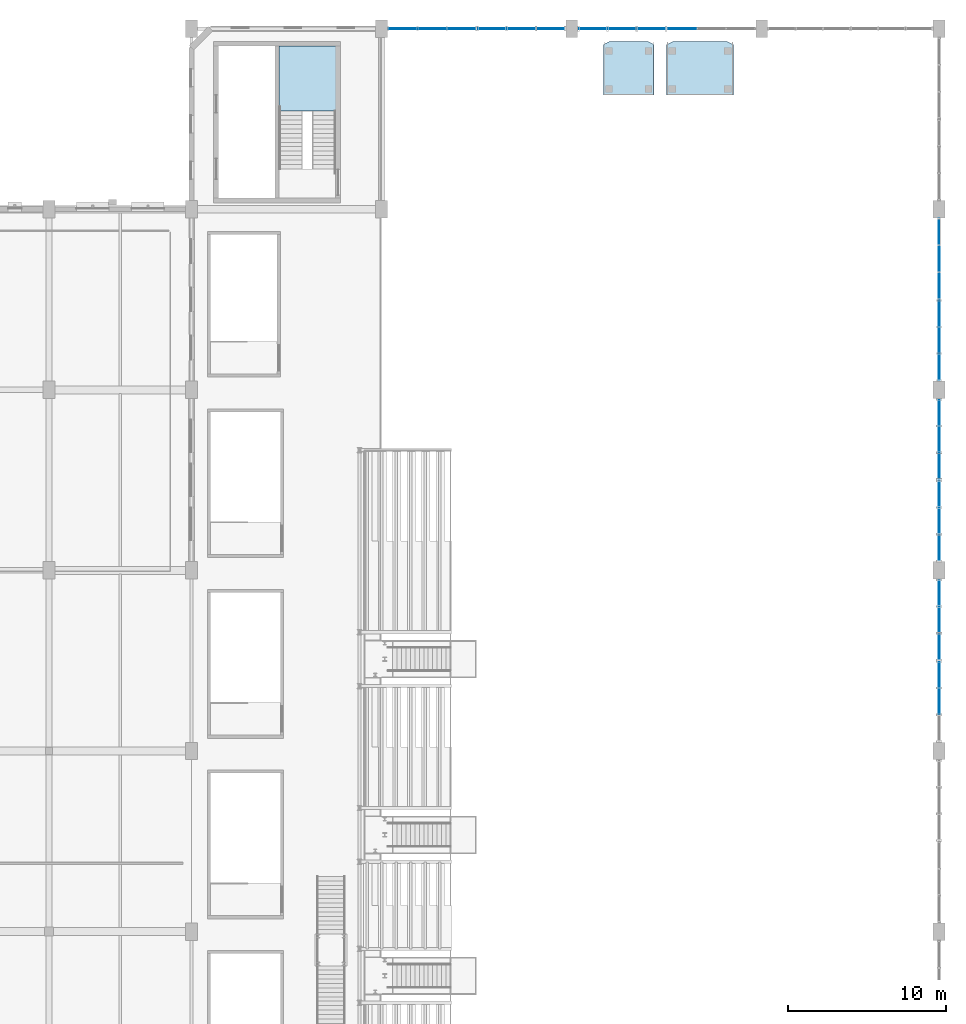
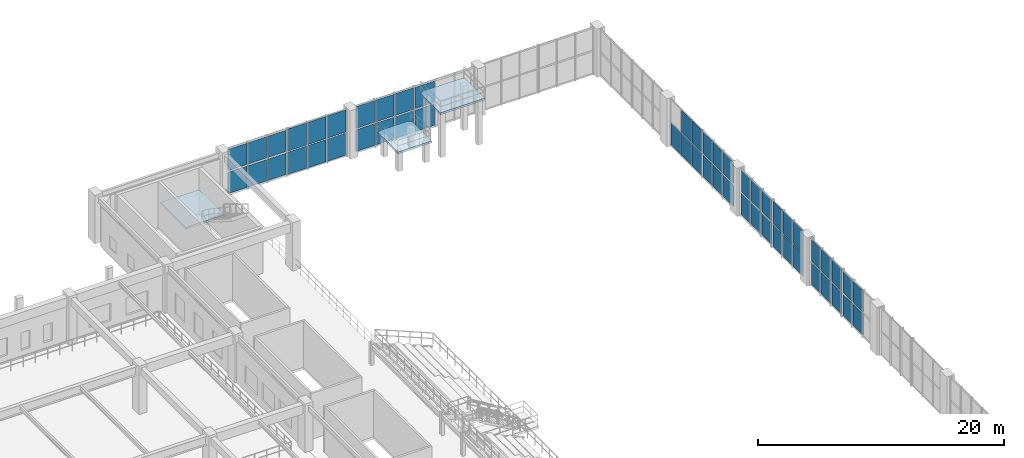
# One storey, part 76 of 106: 53 plates, 3 slabs, 11 elements without a shape of their own.
"""IFC4 building model written with IfcOpenShell, lengths in metres."""

from ifc_helpers import new_model, si_unit, direction, frame, origin, origin_2d, place, context, subcontext, project, spatial, polyline, rectangle, outline, extrude, material, layer, layer_set, type_object, element, aggregate, save


model = new_model("IFC4")

# Units and contexts
model_context = context("Model", 3, precision=1e-05, world=origin(), true_north=direction((0.0, 1.0)))
body_context = subcontext(model_context, "Body", "Model", "MODEL_VIEW")
ifc_project = project(units=[si_unit("LENGTHUNIT", "METRE"), si_unit("AREAUNIT", "SQUARE_METRE"), si_unit("VOLUMEUNIT", "CUBIC_METRE"), si_unit("PLANEANGLEUNIT", "RADIAN"), si_unit("MASSUNIT", "GRAM", prefix="KILO"), si_unit("POWERUNIT", "WATT"), si_unit("THERMODYNAMICTEMPERATUREUNIT", "KELVIN")], contexts=[model_context])

# Site, building, storey
site_placement = place(None, origin())
site = spatial("IfcSite", under=ifc_project, at=site_placement, CompositionType="ELEMENT")
building_placement = place(site_placement, origin())
building = spatial("IfcBuilding", under=site, at=building_placement, Name="Kelmbourne Parkland Aquatics Centre", CompositionType="ELEMENT")
storey_placement = place(building_placement, frame((0.0, 0.0, 5.39990234375)))
storey = spatial("IfcBuildingStorey", under=building, at=storey_placement, Name="L01", CompositionType="ELEMENT", Elevation=5.39990234375)

# Curtain wall, plates
ifc_material_1 = material(Name="Thermally broken anodised aluminium framing", Category="aluminium")
ifc_layer_1 = layer(ifc_material_1, 0.179931640625)
ifc_layer_set_1 = layer_set([ifc_layer_1], Name="Thermally broken anodised aluminium framing")
curtain_wall_type_1 = type_object("IfcCurtainWallType", Name="CW-11", PredefinedType="NOTDEFINED", material=ifc_layer_set_1)
curtain_wall_1_placement = place(storey_placement, origin())
curtain_wall_1 = element("IfcCurtainWall", 1, at=curtain_wall_1_placement, inside=storey, type_object=curtain_wall_type_1, Name="Wave-hall clerestory curtain wall CW-L01-059", PredefinedType="NOTDEFINED")
ifc_material_2 = material(Name="Double-glazed low-e laminated safety glass", Category="glass")
ifc_layer_2 = layer(ifc_material_2, 0.0419921875)
ifc_layer_set_2 = layer_set([ifc_layer_2], Name="Double-glazed low-e laminated safety glass")
plate_type_1 = type_object("IfcPlateType", Name="PL-CLR-1", PredefinedType="USERDEFINED", material=ifc_layer_set_2)
plate_1_placement = place(storey_placement, frame((175.199951171875, 72.325927734375, 2.458984375), z_axis=(0.0, 0.0, 1.0), x_axis=(0.0, 1.0, 0.0)))
plate_1 = element("IfcPlate", 2, at=plate_1_placement, type_object=plate_type_1, Name="CW-L01-059 clerestory glazing 1-1", ObjectType="CLERESTORY GLAZING", PredefinedType="USERDEFINED", context=body_context, shape_type="SweptSolid", body=[
    extrude(rectangle(XDim=1.587890625, YDim=0.0419921875, at=origin_2d()), origin(), (0.0, 0.0, 1.0), 2.114013671875),
])
plate_2_placement = place(storey_placement, frame((175.199951171875, 74.007080078125, 2.458984375), z_axis=(0.0, 0.0, 1.0), x_axis=(0.0, 1.0, 0.0)))
plate_2 = element("IfcPlate", 3, at=plate_2_placement, type_object=plate_type_1, Name="CW-L01-059 clerestory glazing 1-2", ObjectType="CLERESTORY GLAZING", PredefinedType="USERDEFINED", context=body_context, shape_type="SweptSolid", body=[
    extrude(rectangle(XDim=1.587890625, YDim=0.0419921875, at=origin_2d()), origin(), (0.0, 0.0, 1.0), 2.114013671875),
])

ifc_layer_3 = layer(ifc_material_1, 0.179931640625)
ifc_layer_set_3 = layer_set([ifc_layer_3], Name="Thermally broken anodised aluminium framing")
curtain_wall_type_2 = type_object("IfcCurtainWallType", Name="CW-16", PredefinedType="NOTDEFINED", material=ifc_layer_set_3)
curtain_wall_2_placement = place(storey_placement, origin())
curtain_wall_2 = element("IfcCurtainWall", 4, at=curtain_wall_2_placement, inside=storey, type_object=curtain_wall_type_2, Name="Wave-hall clerestory curtain wall CW-L01-064", PredefinedType="NOTDEFINED")
plate_3_placement = place(storey_placement, frame((175.199951171875, 75.79296875, 2.4443359375), z_axis=(0.0, 0.0, 1.0), x_axis=(0.0, 1.0, 0.0)))
plate_3 = element("IfcPlate", 5, at=plate_3_placement, type_object=plate_type_1, Name="CW-L01-064 clerestory glazing 1-0", ObjectType="CLERESTORY GLAZING", PredefinedType="USERDEFINED", context=body_context, shape_type="SweptSolid", body=[
    extrude(rectangle(XDim=1.587890625, YDim=0.0419921875, at=origin_2d()), origin(), (0.0, 0.0, 1.0), 2.158935546875),
])
plate_4_placement = place(storey_placement, frame((175.199951171875, 77.47412109375, 2.4443359375), z_axis=(0.0, 0.0, 1.0), x_axis=(0.0, 1.0, 0.0)))
plate_4 = element("IfcPlate", 6, at=plate_4_placement, type_object=plate_type_1, Name="CW-L01-064 clerestory glazing 1-1", ObjectType="CLERESTORY GLAZING", PredefinedType="USERDEFINED", context=body_context, shape_type="SweptSolid", body=[
    extrude(rectangle(XDim=1.587890625, YDim=0.0419921875, at=origin_2d()), origin(), (0.0, 0.0, 1.0), 2.158935546875),
])
plate_5_placement = place(storey_placement, frame((175.199951171875, 79.155029296875, 2.4443359375), z_axis=(0.0, 0.0, 1.0), x_axis=(0.0, 1.0, 0.0)))
plate_5 = element("IfcPlate", 7, at=plate_5_placement, type_object=plate_type_1, Name="CW-L01-064 clerestory glazing 1-2", ObjectType="CLERESTORY GLAZING", PredefinedType="USERDEFINED", context=body_context, shape_type="SweptSolid", body=[
    extrude(rectangle(XDim=1.587890625, YDim=0.0419921875, at=origin_2d()), origin(), (0.0, 0.0, 1.0), 2.158935546875),
])

ifc_layer_4 = layer(ifc_material_1, 0.179931640625)
ifc_layer_set_4 = layer_set([ifc_layer_4], Name="Thermally broken anodised aluminium framing")
curtain_wall_type_3 = type_object("IfcCurtainWallType", Name="CW-21", PredefinedType="NOTDEFINED", material=ifc_layer_set_4)
curtain_wall_3_placement = place(storey_placement, origin())
curtain_wall_3 = element("IfcCurtainWall", 8, at=curtain_wall_3_placement, inside=storey, type_object=curtain_wall_type_3, Name="Wave-hall clerestory curtain wall CW-L01-069", PredefinedType="NOTDEFINED")
plate_6_placement = place(storey_placement, frame((175.199951171875, 82.044921875, 2.428955078125), z_axis=(0.0, 0.0, 1.0), x_axis=(0.0, 1.0, 0.0)))
plate_6 = element("IfcPlate", 9, at=plate_6_placement, type_object=plate_type_1, Name="CW-L01-069 clerestory glazing 1-0", ObjectType="CLERESTORY GLAZING", PredefinedType="USERDEFINED", context=body_context, shape_type="SweptSolid", body=[
    extrude(rectangle(XDim=1.587890625, YDim=0.0419921875, at=origin_2d()), origin(), (0.0, 0.0, 1.0), 2.2041015625),
])
plate_7_placement = place(storey_placement, frame((175.199951171875, 83.72607421875, 2.428955078125), z_axis=(0.0, 0.0, 1.0), x_axis=(0.0, 1.0, 0.0)))
plate_7 = element("IfcPlate", 10, at=plate_7_placement, type_object=plate_type_1, Name="CW-L01-069 clerestory glazing 1-1", ObjectType="CLERESTORY GLAZING", PredefinedType="USERDEFINED", context=body_context, shape_type="SweptSolid", body=[
    extrude(rectangle(XDim=1.587890625, YDim=0.0419921875, at=origin_2d()), origin(), (0.0, 0.0, 1.0), 2.2041015625),
])
plate_8_placement = place(storey_placement, frame((175.199951171875, 85.406982421875, 2.428955078125), z_axis=(0.0, 0.0, 1.0), x_axis=(0.0, 1.0, 0.0)))
plate_8 = element("IfcPlate", 11, at=plate_8_placement, type_object=plate_type_1, Name="CW-L01-069 clerestory glazing 1-2", ObjectType="CLERESTORY GLAZING", PredefinedType="USERDEFINED", context=body_context, shape_type="SweptSolid", body=[
    extrude(rectangle(XDim=1.587890625, YDim=0.0419921875, at=origin_2d()), origin(), (0.0, 0.0, 1.0), 2.2041015625),
])

ifc_layer_5 = layer(ifc_material_1, 0.179931640625)
ifc_layer_set_5 = layer_set([ifc_layer_5], Name="Thermally broken anodised aluminium framing")
curtain_wall_type_4 = type_object("IfcCurtainWallType", Name="CW-02", PredefinedType="NOTDEFINED", material=ifc_layer_set_5)
curtain_wall_4_placement = place(storey_placement, origin())
curtain_wall_4 = element("IfcCurtainWall", 12, at=curtain_wall_4_placement, inside=storey, type_object=curtain_wall_type_4, Name="Wave-hall clerestory curtain wall CW-L01-074", PredefinedType="NOTDEFINED")
plate_9_placement = place(storey_placement, frame((175.199951171875, 87.193115234375, 2.458984375), z_axis=(0.0, 0.0, 1.0), x_axis=(0.0, 1.0, 0.0)))
plate_9 = element("IfcPlate", 13, at=plate_9_placement, type_object=plate_type_1, Name="CW-L01-074 clerestory glazing 1-0", ObjectType="CLERESTORY GLAZING", PredefinedType="USERDEFINED", context=body_context, shape_type="SweptSolid", body=[
    extrude(rectangle(XDim=1.587890625, YDim=0.0419921875, at=origin_2d()), origin(), (0.0, 0.0, 1.0), 2.114013671875),
])
plate_10_placement = place(storey_placement, frame((175.199951171875, 88.8740234375, 2.458984375), z_axis=(0.0, 0.0, 1.0), x_axis=(0.0, 1.0, 0.0)))
plate_10 = element("IfcPlate", 14, at=plate_10_placement, type_object=plate_type_1, Name="CW-L01-074 clerestory glazing 1-1", ObjectType="CLERESTORY GLAZING", PredefinedType="USERDEFINED", context=body_context, shape_type="SweptSolid", body=[
    extrude(rectangle(XDim=1.587890625, YDim=0.0419921875, at=origin_2d()), origin(), (0.0, 0.0, 1.0), 2.114013671875),
])
plate_11_placement = place(storey_placement, frame((175.199951171875, 90.554931640625, 2.458984375), z_axis=(0.0, 0.0, 1.0), x_axis=(0.0, 1.0, 0.0)))
plate_11 = element("IfcPlate", 15, at=plate_11_placement, type_object=plate_type_1, Name="CW-L01-074 clerestory glazing 1-2", ObjectType="CLERESTORY GLAZING", PredefinedType="USERDEFINED", context=body_context, shape_type="SweptSolid", body=[
    extrude(rectangle(XDim=1.587890625, YDim=0.0419921875, at=origin_2d()), origin(), (0.0, 0.0, 1.0), 2.114013671875),
])

curtain_wall_5_placement = place(storey_placement, origin())
curtain_wall_5 = element("IfcCurtainWall", 16, at=curtain_wall_5_placement, inside=storey, type_object=curtain_wall_type_1, Name="Wave-hall clerestory curtain wall CW-L01-083", PredefinedType="NOTDEFINED")
plate_12_placement = place(storey_placement, frame((175.199951171875, 93.441650390625, 2.458984375), z_axis=(0.0, 0.0, 1.0), x_axis=(0.0, 1.0, 0.0)))
plate_12 = element("IfcPlate", 17, at=plate_12_placement, type_object=plate_type_1, Name="CW-L01-083 clerestory glazing 1-0", ObjectType="CLERESTORY GLAZING", PredefinedType="USERDEFINED", context=body_context, shape_type="SweptSolid", body=[
    extrude(rectangle(XDim=1.601318359375, YDim=0.0419921875, at=origin_2d()), origin(), (0.0, 0.0, 1.0), 2.114013671875),
])
plate_13_placement = place(storey_placement, frame((175.199951171875, 95.1259765625, 2.458984375), z_axis=(0.0, 0.0, 1.0), x_axis=(0.0, 1.0, 0.0)))
plate_13 = element("IfcPlate", 18, at=plate_13_placement, type_object=plate_type_1, Name="CW-L01-083 clerestory glazing 1-1", ObjectType="CLERESTORY GLAZING", PredefinedType="USERDEFINED", context=body_context, shape_type="SweptSolid", body=[
    extrude(rectangle(XDim=1.601318359375, YDim=0.0419921875, at=origin_2d()), origin(), (0.0, 0.0, 1.0), 2.114013671875),
])
plate_14_placement = place(storey_placement, frame((175.199951171875, 96.810302734375, 2.458984375), z_axis=(0.0, 0.0, 1.0), x_axis=(0.0, 1.0, 0.0)))
plate_14 = element("IfcPlate", 19, at=plate_14_placement, type_object=plate_type_1, Name="CW-L01-083 clerestory glazing 1-2", ObjectType="CLERESTORY GLAZING", PredefinedType="USERDEFINED", context=body_context, shape_type="SweptSolid", body=[
    extrude(rectangle(XDim=1.601318359375, YDim=0.0419921875, at=origin_2d()), origin(), (0.0, 0.0, 1.0), 2.114013671875),
])

ifc_layer_6 = layer(ifc_material_1, 0.179931640625)
ifc_layer_set_6 = layer_set([ifc_layer_6], Name="Thermally broken anodised aluminium framing")
curtain_wall_type_5 = type_object("IfcCurtainWallType", Name="CW-18", PredefinedType="NOTDEFINED", material=ifc_layer_set_6)
curtain_wall_6_placement = place(storey_placement, origin())
curtain_wall_6 = element("IfcCurtainWall", 20, at=curtain_wall_6_placement, inside=storey, type_object=curtain_wall_type_5, Name="Wave-hall clerestory curtain wall CW-L01-090", PredefinedType="NOTDEFINED")
plate_15_placement = place(storey_placement, frame((175.199951171875, 98.57958984375, 2.428955078125), z_axis=(0.0, 0.0, 1.0), x_axis=(0.0, 1.0, 0.0)))
plate_15 = element("IfcPlate", 21, at=plate_15_placement, type_object=plate_type_1, Name="CW-L01-090 clerestory glazing 1-0", ObjectType="CLERESTORY GLAZING", PredefinedType="USERDEFINED", context=body_context, shape_type="SweptSolid", body=[
    extrude(rectangle(XDim=1.641357421875, YDim=0.0419921875, at=origin_2d()), origin(), (0.0, 0.0, 1.0), 2.2041015625),
])
plate_16_placement = place(storey_placement, frame((175.199951171875, 100.27392578125, 2.428955078125), z_axis=(0.0, 0.0, 1.0), x_axis=(0.0, 1.0, 0.0)))
plate_16 = element("IfcPlate", 22, at=plate_16_placement, type_object=plate_type_1, Name="CW-L01-090 clerestory glazing 1-1", ObjectType="CLERESTORY GLAZING", PredefinedType="USERDEFINED", context=body_context, shape_type="SweptSolid", body=[
    extrude(rectangle(XDim=1.641357421875, YDim=0.0419921875, at=origin_2d()), origin(), (0.0, 0.0, 1.0), 2.2041015625),
])

ifc_layer_7 = layer(ifc_material_1, 0.179931640625)
ifc_layer_set_7 = layer_set([ifc_layer_7], Name="Thermally broken anodised aluminium framing")
curtain_wall_type_6 = type_object("IfcCurtainWallType", Name="CW-17", PredefinedType="NOTDEFINED", material=ifc_layer_set_7)
curtain_wall_7_placement = place(storey_placement, origin())
curtain_wall_7 = element("IfcCurtainWall", 23, at=curtain_wall_7_placement, inside=storey, type_object=curtain_wall_type_6, Name="Wave-hall clerestory curtain wall CW-L01-137", PredefinedType="NOTDEFINED")
plate_17_placement = place(storey_placement, frame((141.342529296875, 114.800048828125, 2.458984375), z_axis=(0.0, 0.0, 1.0), x_axis=(1.0, 0.0, 0.0)))
plate_17 = element("IfcPlate", 24, at=plate_17_placement, type_object=plate_type_1, Name="CW-L01-137 clerestory glazing 1-0", ObjectType="CLERESTORY GLAZING", PredefinedType="USERDEFINED", context=body_context, shape_type="SweptSolid", body=[
    extrude(rectangle(XDim=1.77294921875, YDim=0.0419921875, at=origin_2d()), origin(), (0.0, 0.0, 1.0), 2.114013671875),
])
plate_18_placement = place(storey_placement, frame((143.1884765625, 114.800048828125, 2.458984375), z_axis=(0.0, 0.0, 1.0), x_axis=(1.0, 0.0, 0.0)))
plate_18 = element("IfcPlate", 25, at=plate_18_placement, type_object=plate_type_1, Name="CW-L01-137 clerestory glazing 1-1", ObjectType="CLERESTORY GLAZING", PredefinedType="USERDEFINED", context=body_context, shape_type="SweptSolid", body=[
    extrude(rectangle(XDim=1.77294921875, YDim=0.0419921875, at=origin_2d()), origin(), (0.0, 0.0, 1.0), 2.114013671875),
])
plate_19_placement = place(storey_placement, frame((145.034423828125, 114.800048828125, 2.458984375), z_axis=(0.0, 0.0, 1.0), x_axis=(1.0, 0.0, 0.0)))
plate_19 = element("IfcPlate", 26, at=plate_19_placement, type_object=plate_type_1, Name="CW-L01-137 clerestory glazing 1-2", ObjectType="CLERESTORY GLAZING", PredefinedType="USERDEFINED", context=body_context, shape_type="SweptSolid", body=[
    extrude(rectangle(XDim=1.77294921875, YDim=0.0419921875, at=origin_2d()), origin(), (0.0, 0.0, 1.0), 2.114013671875),
])

curtain_wall_8_placement = place(storey_placement, origin())
curtain_wall_8 = element("IfcCurtainWall", 27, at=curtain_wall_8_placement, inside=storey, type_object=curtain_wall_type_5, Name="Wave-hall clerestory curtain wall CW-L01-138", PredefinedType="NOTDEFINED")
plate_20_placement = place(storey_placement, frame((146.968994140625, 114.800048828125, 2.428955078125), z_axis=(0.0, 0.0, 1.0), x_axis=(1.0, 0.0, 0.0)))
plate_20 = element("IfcPlate", 28, at=plate_20_placement, type_object=plate_type_1, Name="CW-L01-138 clerestory glazing 1-0", ObjectType="CLERESTORY GLAZING", PredefinedType="USERDEFINED", context=body_context, shape_type="SweptSolid", body=[
    extrude(rectangle(XDim=1.759765625, YDim=0.0419921875, at=origin_2d()), origin(), (0.0, 0.0, 1.0), 2.2041015625),
])
plate_21_placement = place(storey_placement, frame((148.8115234375, 114.800048828125, 2.428955078125), z_axis=(0.0, 0.0, 1.0), x_axis=(1.0, 0.0, 0.0)))
plate_21 = element("IfcPlate", 29, at=plate_21_placement, type_object=plate_type_1, Name="CW-L01-138 clerestory glazing 1-1", ObjectType="CLERESTORY GLAZING", PredefinedType="USERDEFINED", context=body_context, shape_type="SweptSolid", body=[
    extrude(rectangle(XDim=1.759521484375, YDim=0.0419921875, at=origin_2d()), origin(), (0.0, 0.0, 1.0), 2.2041015625),
])
plate_22_placement = place(storey_placement, frame((150.654052734375, 114.800048828125, 2.428955078125), z_axis=(0.0, 0.0, 1.0), x_axis=(1.0, 0.0, 0.0)))
plate_22 = element("IfcPlate", 30, at=plate_22_placement, type_object=plate_type_1, Name="CW-L01-138 clerestory glazing 1-2", ObjectType="CLERESTORY GLAZING", PredefinedType="USERDEFINED", context=body_context, shape_type="SweptSolid", body=[
    extrude(rectangle(XDim=1.759765625, YDim=0.0419921875, at=origin_2d()), origin(), (0.0, 0.0, 1.0), 2.2041015625),
])

ifc_layer_8 = layer(ifc_material_1, 0.179931640625)
ifc_layer_set_8 = layer_set([ifc_layer_8], Name="Thermally broken anodised aluminium framing")
curtain_wall_type_7 = type_object("IfcCurtainWallType", Name="CW-19", PredefinedType="NOTDEFINED", material=ifc_layer_set_8)
curtain_wall_9_placement = place(storey_placement, origin())
curtain_wall_9 = element("IfcCurtainWall", 31, at=curtain_wall_9_placement, inside=storey, type_object=curtain_wall_type_7, Name="Wave-hall clerestory curtain wall CW-L01-139", PredefinedType="NOTDEFINED")
plate_23_placement = place(storey_placement, frame((153.34912109375, 114.800048828125, 2.4443359375), z_axis=(0.0, 0.0, 1.0), x_axis=(1.0, 0.0, 0.0)))
plate_23 = element("IfcPlate", 32, at=plate_23_placement, type_object=plate_type_1, Name="CW-L01-139 clerestory glazing 1-0", ObjectType="CLERESTORY GLAZING", PredefinedType="USERDEFINED", context=body_context, shape_type="SweptSolid", body=[
    extrude(rectangle(XDim=1.746337890625, YDim=0.0419921875, at=origin_2d()), origin(), (0.0, 0.0, 1.0), 2.158935546875),
])
plate_24_placement = place(storey_placement, frame((155.1884765625, 114.800048828125, 2.4443359375), z_axis=(0.0, 0.0, 1.0), x_axis=(1.0, 0.0, 0.0)))
plate_24 = element("IfcPlate", 33, at=plate_24_placement, type_object=plate_type_1, Name="CW-L01-139 clerestory glazing 1-1", ObjectType="CLERESTORY GLAZING", PredefinedType="USERDEFINED", context=body_context, shape_type="SweptSolid", body=[
    extrude(rectangle(XDim=1.746337890625, YDim=0.0419921875, at=origin_2d()), origin(), (0.0, 0.0, 1.0), 2.158935546875),
])
plate_25_placement = place(storey_placement, frame((157.02783203125, 114.800048828125, 2.4443359375), z_axis=(0.0, 0.0, 1.0), x_axis=(1.0, 0.0, 0.0)))
plate_25 = element("IfcPlate", 34, at=plate_25_placement, type_object=plate_type_1, Name="CW-L01-139 clerestory glazing 1-2", ObjectType="CLERESTORY GLAZING", PredefinedType="USERDEFINED", context=body_context, shape_type="SweptSolid", body=[
    extrude(rectangle(XDim=1.746337890625, YDim=0.0419921875, at=origin_2d()), origin(), (0.0, 0.0, 1.0), 2.158935546875),
])

# Curtain wall, plate
ifc_layer_9 = layer(ifc_material_1, 0.179931640625)
ifc_layer_set_9 = layer_set([ifc_layer_9], Name="Thermally broken anodised aluminium framing")
curtain_wall_type_8 = type_object("IfcCurtainWallType", Name="CW-20", PredefinedType="NOTDEFINED", material=ifc_layer_set_9)
curtain_wall_10_placement = place(storey_placement, origin())
curtain_wall_10 = element("IfcCurtainWall", 35, at=curtain_wall_10_placement, inside=storey, type_object=curtain_wall_type_8, Name="Wave-hall clerestory curtain wall CW-L01-140", PredefinedType="NOTDEFINED")
plate_26_placement = place(storey_placement, frame((158.958984375, 114.800048828125, 2.458984375), z_axis=(0.0, 0.0, 1.0), x_axis=(1.0, 0.0, 0.0)))
plate_26 = element("IfcPlate", 36, at=plate_26_placement, type_object=plate_type_1, Name="CW-L01-140 clerestory glazing 1-0", ObjectType="CLERESTORY GLAZING", PredefinedType="USERDEFINED", context=body_context, shape_type="SweptSolid", body=[
    extrude(rectangle(XDim=1.7998046875, YDim=0.0419921875, at=origin_2d()), origin(), (0.0, 0.0, 1.0), 2.114013671875),
])

# Plate
ifc_layer_10 = layer(ifc_material_2, 0.02392578125)
ifc_layer_set_10 = layer_set([ifc_layer_10], Name="Double-glazed low-e laminated safety glass")
plate_type_2 = type_object("IfcPlateType", Name="PL-CWP-1", PredefinedType="CURTAIN_PANEL", material=ifc_layer_set_10)
plate_27_placement = place(storey_placement, frame((175.199951171875, 82.044921875, 0.116943359375), z_axis=(0.0, 0.0, 1.0), x_axis=(0.0, 1.0, 0.0)))
plate_27 = element("IfcPlate", 37, at=plate_27_placement, type_object=plate_type_2, Name="CW-L01-069 vision glazing 0-0", PredefinedType="CURTAIN_PANEL", context=body_context, shape_type="SweptSolid", body=[
    extrude(rectangle(XDim=1.587890625, YDim=0.02392578125, at=origin_2d()), origin(), (0.0, 0.0, 1.0), 2.2041015625),
])

plate_28_placement = place(storey_placement, frame((175.199951171875, 83.72607421875, 0.116943359375), z_axis=(0.0, 0.0, 1.0), x_axis=(0.0, 1.0, 0.0)))
plate_28 = element("IfcPlate", 38, at=plate_28_placement, type_object=plate_type_2, Name="CW-L01-069 vision glazing 0-1", PredefinedType="CURTAIN_PANEL", context=body_context, shape_type="SweptSolid", body=[
    extrude(rectangle(XDim=1.587890625, YDim=0.02392578125, at=origin_2d()), origin(), (0.0, 0.0, 1.0), 2.2041015625),
])

plate_29_placement = place(storey_placement, frame((175.199951171875, 85.406982421875, 0.116943359375), z_axis=(0.0, 0.0, 1.0), x_axis=(0.0, 1.0, 0.0)))
plate_29 = element("IfcPlate", 39, at=plate_29_placement, type_object=plate_type_2, Name="CW-L01-069 vision glazing 0-2", PredefinedType="CURTAIN_PANEL", context=body_context, shape_type="SweptSolid", body=[
    extrude(rectangle(XDim=1.587890625, YDim=0.02392578125, at=origin_2d()), origin(), (0.0, 0.0, 1.0), 2.2041015625),
])

aggregate(curtain_wall_3, [plate_27, plate_28, plate_29, plate_6, plate_7, plate_8])

plate_30_placement = place(storey_placement, frame((175.199951171875, 98.57958984375, 0.116943359375), z_axis=(0.0, 0.0, 1.0), x_axis=(0.0, 1.0, 0.0)))
plate_30 = element("IfcPlate", 40, at=plate_30_placement, type_object=plate_type_2, Name="CW-L01-090 vision glazing 0-0", PredefinedType="CURTAIN_PANEL", context=body_context, shape_type="SweptSolid", body=[
    extrude(rectangle(XDim=1.641357421875, YDim=0.02392578125, at=origin_2d()), origin(), (0.0, 0.0, 1.0), 2.2041015625),
])

plate_31_placement = place(storey_placement, frame((175.199951171875, 100.27392578125, 0.116943359375), z_axis=(0.0, 0.0, 1.0), x_axis=(0.0, 1.0, 0.0)))
plate_31 = element("IfcPlate", 41, at=plate_31_placement, type_object=plate_type_2, Name="CW-L01-090 vision glazing 0-1", PredefinedType="CURTAIN_PANEL", context=body_context, shape_type="SweptSolid", body=[
    extrude(rectangle(XDim=1.641357421875, YDim=0.02392578125, at=origin_2d()), origin(), (0.0, 0.0, 1.0), 2.2041015625),
])

plate_32_placement = place(storey_placement, frame((175.199951171875, 101.968505859375, 0.116943359375), z_axis=(0.0, 0.0, 1.0), x_axis=(0.0, 1.0, 0.0)))
plate_32 = element("IfcPlate", 42, at=plate_32_placement, type_object=plate_type_2, Name="CW-L01-090 vision glazing 0-2", PredefinedType="CURTAIN_PANEL", context=body_context, shape_type="SweptSolid", body=[
    extrude(rectangle(XDim=1.641357421875, YDim=0.02392578125, at=origin_2d()), origin(), (0.0, 0.0, 1.0), 2.2041015625),
])

aggregate(curtain_wall_6, [plate_30, plate_31, plate_32, plate_15, plate_16])

plate_33_placement = place(storey_placement, frame((146.968994140625, 114.800048828125, 0.116943359375), z_axis=(0.0, 0.0, 1.0), x_axis=(1.0, 0.0, 0.0)))
plate_33 = element("IfcPlate", 43, at=plate_33_placement, type_object=plate_type_2, Name="CW-L01-138 vision glazing 0-0", PredefinedType="CURTAIN_PANEL", context=body_context, shape_type="SweptSolid", body=[
    extrude(rectangle(XDim=1.759765625, YDim=0.02392578125, at=origin_2d()), origin(), (0.0, 0.0, 1.0), 2.2041015625),
])

plate_34_placement = place(storey_placement, frame((148.8115234375, 114.800048828125, 0.116943359375), z_axis=(0.0, 0.0, 1.0), x_axis=(1.0, 0.0, 0.0)))
plate_34 = element("IfcPlate", 44, at=plate_34_placement, type_object=plate_type_2, Name="CW-L01-138 vision glazing 0-1", PredefinedType="CURTAIN_PANEL", context=body_context, shape_type="SweptSolid", body=[
    extrude(rectangle(XDim=1.759521484375, YDim=0.02392578125, at=origin_2d()), origin(), (0.0, 0.0, 1.0), 2.2041015625),
])

plate_35_placement = place(storey_placement, frame((150.654052734375, 114.800048828125, 0.116943359375), z_axis=(0.0, 0.0, 1.0), x_axis=(1.0, 0.0, 0.0)))
plate_35 = element("IfcPlate", 45, at=plate_35_placement, type_object=plate_type_2, Name="CW-L01-138 vision glazing 0-2", PredefinedType="CURTAIN_PANEL", context=body_context, shape_type="SweptSolid", body=[
    extrude(rectangle(XDim=1.759765625, YDim=0.02392578125, at=origin_2d()), origin(), (0.0, 0.0, 1.0), 2.2041015625),
])

aggregate(curtain_wall_8, [plate_33, plate_34, plate_35, plate_20, plate_21, plate_22])

ifc_layer_11 = layer(ifc_material_2, 0.035888671875)
ifc_layer_set_11 = layer_set([ifc_layer_11], Name="Double-glazed low-e laminated safety glass")
plate_type_3 = type_object("IfcPlateType", Name="PL-CWP-2", PredefinedType="CURTAIN_PANEL", material=ifc_layer_set_11)
plate_36_placement = place(storey_placement, frame((175.199951171875, 75.79296875, 0.14697265625), z_axis=(0.0, 0.0, 1.0), x_axis=(0.0, 1.0, 0.0)))
plate_36 = element("IfcPlate", 46, at=plate_36_placement, type_object=plate_type_3, Name="CW-L01-064 vision glazing 0-0", PredefinedType="CURTAIN_PANEL", context=body_context, shape_type="SweptSolid", body=[
    extrude(rectangle(XDim=1.587890625, YDim=0.035888671875, at=origin_2d()), origin(), (0.0, 0.0, 1.0), 2.158935546875),
])

plate_37_placement = place(storey_placement, frame((175.199951171875, 77.47412109375, 0.14697265625), z_axis=(0.0, 0.0, 1.0), x_axis=(0.0, 1.0, 0.0)))
plate_37 = element("IfcPlate", 47, at=plate_37_placement, type_object=plate_type_3, Name="CW-L01-064 vision glazing 0-1", PredefinedType="CURTAIN_PANEL", context=body_context, shape_type="SweptSolid", body=[
    extrude(rectangle(XDim=1.587890625, YDim=0.035888671875, at=origin_2d()), origin(), (0.0, 0.0, 1.0), 2.158935546875),
])

plate_38_placement = place(storey_placement, frame((175.199951171875, 79.155029296875, 0.14697265625), z_axis=(0.0, 0.0, 1.0), x_axis=(0.0, 1.0, 0.0)))
plate_38 = element("IfcPlate", 48, at=plate_38_placement, type_object=plate_type_3, Name="CW-L01-064 vision glazing 0-2", PredefinedType="CURTAIN_PANEL", context=body_context, shape_type="SweptSolid", body=[
    extrude(rectangle(XDim=1.587890625, YDim=0.035888671875, at=origin_2d()), origin(), (0.0, 0.0, 1.0), 2.158935546875),
])

aggregate(curtain_wall_2, [plate_36, plate_37, plate_38, plate_3, plate_4, plate_5])

plate_39_placement = place(storey_placement, frame((153.34912109375, 114.800048828125, 0.14697265625), z_axis=(0.0, 0.0, 1.0), x_axis=(1.0, 0.0, 0.0)))
plate_39 = element("IfcPlate", 49, at=plate_39_placement, type_object=plate_type_3, Name="CW-L01-139 vision glazing 0-0", PredefinedType="CURTAIN_PANEL", context=body_context, shape_type="SweptSolid", body=[
    extrude(rectangle(XDim=1.746337890625, YDim=0.035888671875, at=origin_2d()), origin(), (0.0, 0.0, 1.0), 2.158935546875),
])

plate_40_placement = place(storey_placement, frame((155.1884765625, 114.800048828125, 0.14697265625), z_axis=(0.0, 0.0, 1.0), x_axis=(1.0, 0.0, 0.0)))
plate_40 = element("IfcPlate", 50, at=plate_40_placement, type_object=plate_type_3, Name="CW-L01-139 vision glazing 0-1", PredefinedType="CURTAIN_PANEL", context=body_context, shape_type="SweptSolid", body=[
    extrude(rectangle(XDim=1.746337890625, YDim=0.035888671875, at=origin_2d()), origin(), (0.0, 0.0, 1.0), 2.158935546875),
])

plate_41_placement = place(storey_placement, frame((157.02783203125, 114.800048828125, 0.14697265625), z_axis=(0.0, 0.0, 1.0), x_axis=(1.0, 0.0, 0.0)))
plate_41 = element("IfcPlate", 51, at=plate_41_placement, type_object=plate_type_3, Name="CW-L01-139 vision glazing 0-2", PredefinedType="CURTAIN_PANEL", context=body_context, shape_type="SweptSolid", body=[
    extrude(rectangle(XDim=1.746337890625, YDim=0.035888671875, at=origin_2d()), origin(), (0.0, 0.0, 1.0), 2.158935546875),
])

aggregate(curtain_wall_9, [plate_39, plate_40, plate_41, plate_23, plate_24, plate_25])

ifc_layer_12 = layer(ifc_material_2, 0.048095703125)
ifc_layer_set_12 = layer_set([ifc_layer_12], Name="Double-glazed low-e laminated safety glass")
plate_type_4 = type_object("IfcPlateType", Name="PL-CWP-3", PredefinedType="CURTAIN_PANEL", material=ifc_layer_set_12)
plate_42_placement = place(storey_placement, frame((175.199951171875, 72.325927734375, 0.17724609375), z_axis=(0.0, 0.0, 1.0), x_axis=(0.0, 1.0, 0.0)))
plate_42 = element("IfcPlate", 52, at=plate_42_placement, type_object=plate_type_4, Name="CW-L01-059 vision glazing 0-1", PredefinedType="CURTAIN_PANEL", context=body_context, shape_type="SweptSolid", body=[
    extrude(rectangle(XDim=1.587890625, YDim=0.048095703125, at=origin_2d()), origin(), (0.0, 0.0, 1.0), 2.114013671875),
])

plate_43_placement = place(storey_placement, frame((175.199951171875, 74.007080078125, 0.17724609375), z_axis=(0.0, 0.0, 1.0), x_axis=(0.0, 1.0, 0.0)))
plate_43 = element("IfcPlate", 53, at=plate_43_placement, type_object=plate_type_4, Name="CW-L01-059 vision glazing 0-2", PredefinedType="CURTAIN_PANEL", context=body_context, shape_type="SweptSolid", body=[
    extrude(rectangle(XDim=1.587890625, YDim=0.048095703125, at=origin_2d()), origin(), (0.0, 0.0, 1.0), 2.114013671875),
])

aggregate(curtain_wall_1, [plate_42, plate_43, plate_1, plate_2])

plate_44_placement = place(storey_placement, frame((175.199951171875, 87.193115234375, 0.17724609375), z_axis=(0.0, 0.0, 1.0), x_axis=(0.0, 1.0, 0.0)))
plate_44 = element("IfcPlate", 54, at=plate_44_placement, type_object=plate_type_4, Name="CW-L01-074 vision glazing 0-0", PredefinedType="CURTAIN_PANEL", context=body_context, shape_type="SweptSolid", body=[
    extrude(rectangle(XDim=1.587890625, YDim=0.048095703125, at=origin_2d()), origin(), (0.0, 0.0, 1.0), 2.114013671875),
])

plate_45_placement = place(storey_placement, frame((175.199951171875, 88.8740234375, 0.17724609375), z_axis=(0.0, 0.0, 1.0), x_axis=(0.0, 1.0, 0.0)))
plate_45 = element("IfcPlate", 55, at=plate_45_placement, type_object=plate_type_4, Name="CW-L01-074 vision glazing 0-1", PredefinedType="CURTAIN_PANEL", context=body_context, shape_type="SweptSolid", body=[
    extrude(rectangle(XDim=1.587890625, YDim=0.048095703125, at=origin_2d()), origin(), (0.0, 0.0, 1.0), 2.114013671875),
])

plate_46_placement = place(storey_placement, frame((175.199951171875, 90.554931640625, 0.17724609375), z_axis=(0.0, 0.0, 1.0), x_axis=(0.0, 1.0, 0.0)))
plate_46 = element("IfcPlate", 56, at=plate_46_placement, type_object=plate_type_4, Name="CW-L01-074 vision glazing 0-2", PredefinedType="CURTAIN_PANEL", context=body_context, shape_type="SweptSolid", body=[
    extrude(rectangle(XDim=1.587890625, YDim=0.048095703125, at=origin_2d()), origin(), (0.0, 0.0, 1.0), 2.114013671875),
])

aggregate(curtain_wall_4, [plate_44, plate_45, plate_46, plate_9, plate_10, plate_11])

plate_47_placement = place(storey_placement, frame((175.199951171875, 93.441650390625, 0.17724609375), z_axis=(0.0, 0.0, 1.0), x_axis=(0.0, 1.0, 0.0)))
plate_47 = element("IfcPlate", 57, at=plate_47_placement, type_object=plate_type_4, Name="CW-L01-083 vision glazing 0-0", PredefinedType="CURTAIN_PANEL", context=body_context, shape_type="SweptSolid", body=[
    extrude(rectangle(XDim=1.601318359375, YDim=0.048095703125, at=origin_2d()), origin(), (0.0, 0.0, 1.0), 2.114013671875),
])

plate_48_placement = place(storey_placement, frame((175.199951171875, 95.1259765625, 0.17724609375), z_axis=(0.0, 0.0, 1.0), x_axis=(0.0, 1.0, 0.0)))
plate_48 = element("IfcPlate", 58, at=plate_48_placement, type_object=plate_type_4, Name="CW-L01-083 vision glazing 0-1", PredefinedType="CURTAIN_PANEL", context=body_context, shape_type="SweptSolid", body=[
    extrude(rectangle(XDim=1.601318359375, YDim=0.048095703125, at=origin_2d()), origin(), (0.0, 0.0, 1.0), 2.114013671875),
])

plate_49_placement = place(storey_placement, frame((175.199951171875, 96.810302734375, 0.17724609375), z_axis=(0.0, 0.0, 1.0), x_axis=(0.0, 1.0, 0.0)))
plate_49 = element("IfcPlate", 59, at=plate_49_placement, type_object=plate_type_4, Name="CW-L01-083 vision glazing 0-2", PredefinedType="CURTAIN_PANEL", context=body_context, shape_type="SweptSolid", body=[
    extrude(rectangle(XDim=1.601318359375, YDim=0.048095703125, at=origin_2d()), origin(), (0.0, 0.0, 1.0), 2.114013671875),
])

aggregate(curtain_wall_5, [plate_47, plate_48, plate_49, plate_12, plate_13, plate_14])

plate_50_placement = place(storey_placement, frame((141.342529296875, 114.800048828125, 0.17724609375), z_axis=(0.0, 0.0, 1.0), x_axis=(1.0, 0.0, 0.0)))
plate_50 = element("IfcPlate", 60, at=plate_50_placement, type_object=plate_type_4, Name="CW-L01-137 vision glazing 0-0", PredefinedType="CURTAIN_PANEL", context=body_context, shape_type="SweptSolid", body=[
    extrude(rectangle(XDim=1.77294921875, YDim=0.048095703125, at=origin_2d()), origin(), (0.0, 0.0, 1.0), 2.114013671875),
])

plate_51_placement = place(storey_placement, frame((143.1884765625, 114.800048828125, 0.17724609375), z_axis=(0.0, 0.0, 1.0), x_axis=(1.0, 0.0, 0.0)))
plate_51 = element("IfcPlate", 61, at=plate_51_placement, type_object=plate_type_4, Name="CW-L01-137 vision glazing 0-1", PredefinedType="CURTAIN_PANEL", context=body_context, shape_type="SweptSolid", body=[
    extrude(rectangle(XDim=1.77294921875, YDim=0.048095703125, at=origin_2d()), origin(), (0.0, 0.0, 1.0), 2.114013671875),
])

plate_52_placement = place(storey_placement, frame((145.034423828125, 114.800048828125, 0.17724609375), z_axis=(0.0, 0.0, 1.0), x_axis=(1.0, 0.0, 0.0)))
plate_52 = element("IfcPlate", 62, at=plate_52_placement, type_object=plate_type_4, Name="CW-L01-137 vision glazing 0-2", PredefinedType="CURTAIN_PANEL", context=body_context, shape_type="SweptSolid", body=[
    extrude(rectangle(XDim=1.77294921875, YDim=0.048095703125, at=origin_2d()), origin(), (0.0, 0.0, 1.0), 2.114013671875),
])

aggregate(curtain_wall_7, [plate_50, plate_51, plate_52, plate_17, plate_18, plate_19])

plate_53_placement = place(storey_placement, frame((158.958984375, 114.800048828125, 0.17724609375), z_axis=(0.0, 0.0, 1.0), x_axis=(1.0, 0.0, 0.0)))
plate_53 = element("IfcPlate", 63, at=plate_53_placement, type_object=plate_type_4, Name="CW-L01-140 vision glazing 0-0", PredefinedType="CURTAIN_PANEL", context=body_context, shape_type="SweptSolid", body=[
    extrude(rectangle(XDim=1.7998046875, YDim=0.048095703125, at=origin_2d()), origin(), (0.0, 0.0, 1.0), 2.114013671875),
])

aggregate(curtain_wall_10, [plate_53, plate_26])

# Slabs
ifc_material_3 = material(Name="Concrete C40/50", Category="concrete")
ifc_layer_13 = layer(ifc_material_3, 0.199951171875)
ifc_layer_set_13 = layer_set([ifc_layer_13], Name="Concrete C40/50")
slab_type_1 = type_object("IfcSlabType", Name="SL-F3", PredefinedType="FLOOR", material=ifc_layer_set_13)
slab_1_placement = place(storey_placement, frame((0.0, 0.0, 1.900146484375)))
element("IfcSlab", 64, at=slab_1_placement, inside=storey, type_object=slab_type_1, Name="Diving 7M5 platform slab", PredefinedType="FLOOR", context=body_context, shape_type="SweptSolid", body=[
    extrude(outline(polyline([(154.0, 110.60009765625), (157.199951171875, 110.60009765625), (157.199951171875, 113.800048828125), (156.800048828125, 114.0), (154.39990234375, 114.0), (154.0, 113.800048828125), (154.0, 110.60009765625)])), origin(), (0.0, 0.0, 1.0), 0.199951171875),
])
slab_2_placement = place(storey_placement, frame((0.0, 0.0, 4.400146484375)))
element("IfcSlab", 65, at=slab_2_placement, inside=storey, type_object=slab_type_1, Name="Diving 10M platform slab", PredefinedType="FLOOR", context=body_context, shape_type="SweptSolid", body=[
    extrude(outline(polyline([(158.0, 110.60009765625), (162.199951171875, 110.60009765625), (162.199951171875, 113.800048828125), (161.800048828125, 114.0), (158.39990234375, 114.0), (158.0, 113.800048828125), (158.0, 110.60009765625)])), origin(), (0.0, 0.0, 1.0), 0.199951171875),
])

# Stair, slab
stair_type = type_object("IfcStairType", Name="ST-T17", PredefinedType="HALF_TURN_STAIR", material=ifc_material_3)
stair_placement = place(storey_placement, origin())
stair = element("IfcStair", 66, at=stair_placement, inside=storey, type_object=stair_type, Name="North Diving Control Fire-Fighting Core Stair ST05 (L01)", PredefinedType="HALF_TURN_STAIR")
ifc_layer_14 = layer(ifc_material_3, 0.199951171875)
ifc_layer_set_14 = layer_set([ifc_layer_14], Name="Concrete C40/50")
slab_type_2 = type_object("IfcSlabType", Name="SL-LND-20", PredefinedType="LANDING", material=ifc_layer_set_14)
slab_3_placement = place(storey_placement, frame((0.0, 0.0, 2.2001953125)))
slab_3 = element("IfcSlab", 67, at=slab_3_placement, type_object=slab_type_2, Name="North Diving Control Fire-Fighting Core Stair ST05 half-landing (L01)", PredefinedType="LANDING", context=body_context, shape_type="SweptSolid", body=[
    extrude(outline(polyline([(133.5048828125, 109.590087890625), (137.1201171875, 109.590087890625), (137.1201171875, 113.719970703125), (133.5048828125, 113.719970703125), (133.5048828125, 109.590087890625)])), origin(), (0.0, 0.0, 1.0), 0.199951171875),
])
aggregate(stair, [slab_3])

save(model, "model.ifc")
